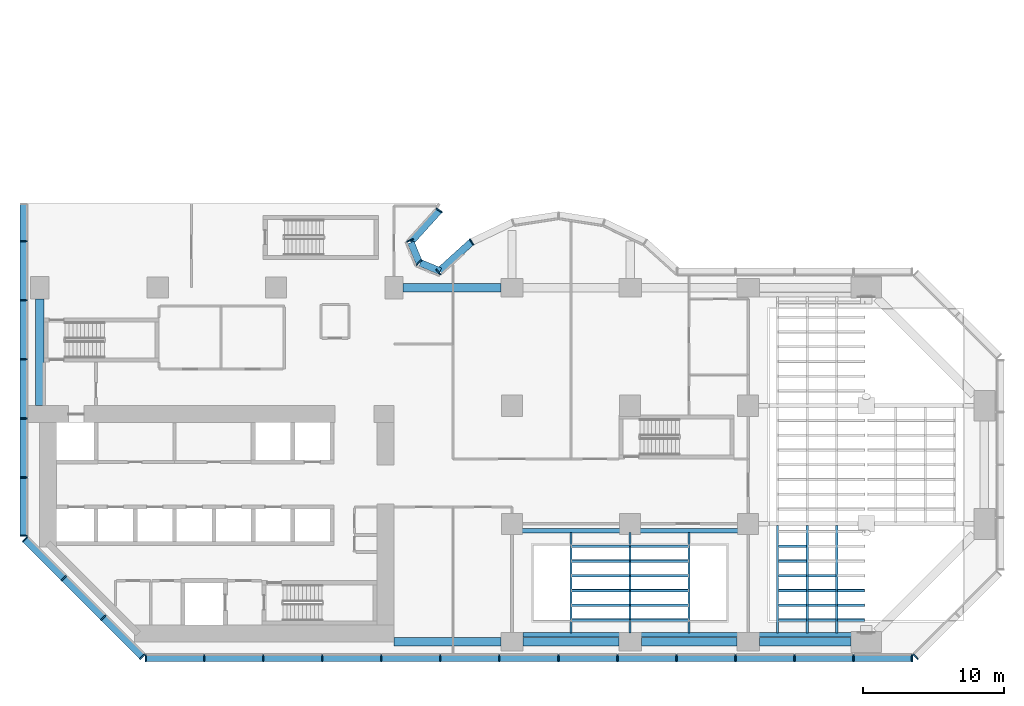
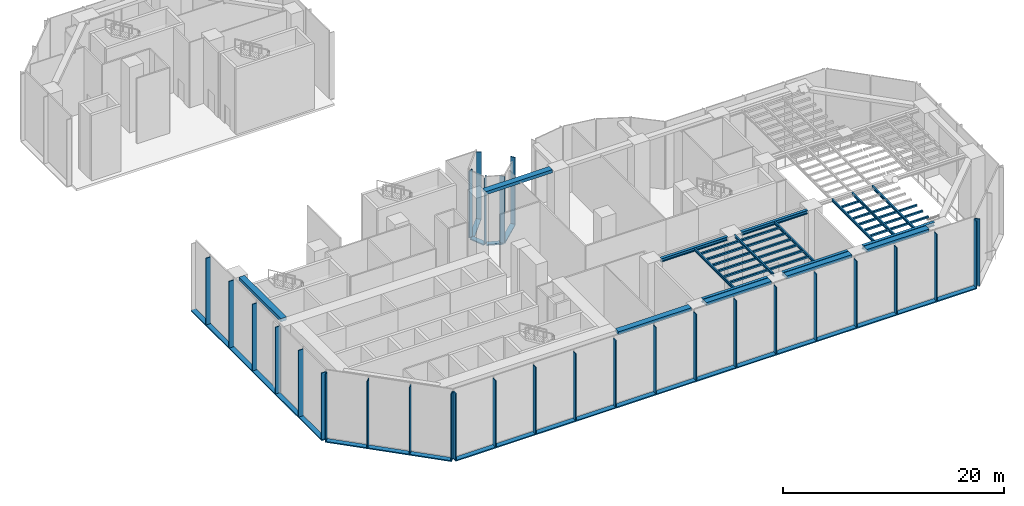
# One storey, part 2 of 22: 42 beams, 37 members, 7 elements without a shape of their own.
"""IFC4 building model written with IfcOpenShell, lengths in metres."""

from ifc_helpers import new_model, si_unit, direction, frame, origin, origin_2d, place, context, subcontext, project, spatial, rectangle, hollow_rectangle, i_section, extrude, material, material_profile, profile_set, type_object, element, aggregate, save


model = new_model("IFC4")

# Units and contexts
model_context = context("Model", 3, precision=1e-05, world=origin(), true_north=direction((0.0, 1.0)))
body_context = subcontext(model_context, "Body", "Model", "MODEL_VIEW")
ifc_project = project(units=[si_unit("LENGTHUNIT", "METRE"), si_unit("AREAUNIT", "SQUARE_METRE"), si_unit("VOLUMEUNIT", "CUBIC_METRE"), si_unit("PLANEANGLEUNIT", "RADIAN"), si_unit("MASSUNIT", "GRAM", prefix="KILO")], contexts=[model_context])

# Site, building, storey
site_placement = place(None, origin())
site = spatial("IfcSite", under=ifc_project, at=site_placement, CompositionType="ELEMENT")
building_placement = place(site_placement, origin())
building = spatial("IfcBuilding", under=site, at=building_placement, Name="Brevane Broadcast Tower", CompositionType="ELEMENT")
storey_placement = place(building_placement, frame((0.0, 0.0, 20.0)))
storey = spatial("IfcBuildingStorey", under=building, at=storey_placement, Name="L03", CompositionType="ELEMENT", Elevation=20.0)

# Curtain wall, members
ifc_material_1 = material(Name="Aluminium 6063-T6 bronze anodised", Category="aluminium")
curtain_wall_type = type_object("IfcCurtainWallType", Name="CW-2 curtain wall", PredefinedType="NOTDEFINED", material=ifc_material_1)
curtain_wall_1_placement = place(storey_placement, origin())
curtain_wall_1 = element("IfcCurtainWall", 1, at=curtain_wall_1_placement, inside=storey, type_object=curtain_wall_type, Name="CW-2 podium base unit L03 south face", PredefinedType="NOTDEFINED")
ifc_material_profile_1 = material_profile(ifc_material_1, rectangle(XDim=0.5, YDim=0.090087890625, at=origin_2d()), Name="RECT 90x500")
ifc_profile_set_1 = profile_set([ifc_material_profile_1], Name="Aluminium 6063-T6 bronze anodised")
member_type_1 = type_object("IfcMemberType", Name="CW-2 mullion 90x500", PredefinedType="MULLION", material=ifc_profile_set_1)
member_1_placement = place(storey_placement, frame((7.544921875, -1.14990234375, -0.1298828125), z_axis=(0.0, 0.0, 1.0), x_axis=(0.0, 1.0, 0.0)))
member_1 = element("IfcMember", 2, at=member_1_placement, type_object=member_type_1, Name="CW-2 mullion", PredefinedType="MULLION", context=body_context, shape_type="SweptSolid", body=[
    extrude(rectangle(XDim=0.5, YDim=0.090087890625, at=origin_2d()), origin(), (0.0, 0.0, 1.0), 7.3798828125),
])
member_2_placement = place(storey_placement, frame((11.699951171875, -1.14990234375, -0.1298828125), z_axis=(0.0, 0.0, 1.0), x_axis=(0.0, 1.0, 0.0)))
member_2 = element("IfcMember", 3, at=member_2_placement, type_object=member_type_1, Name="CW-2 mullion", PredefinedType="MULLION", context=body_context, shape_type="SweptSolid", body=[
    extrude(rectangle(XDim=0.5, YDim=0.090087890625, at=origin_2d()), origin(), (0.0, 0.0, 1.0), 7.3798828125),
])
member_3_placement = place(storey_placement, frame((15.89990234375, -1.14990234375, -0.1298828125), z_axis=(0.0, 0.0, 1.0), x_axis=(0.0, 1.0, 0.0)))
member_3 = element("IfcMember", 4, at=member_3_placement, type_object=member_type_1, Name="CW-2 mullion", PredefinedType="MULLION", context=body_context, shape_type="SweptSolid", body=[
    extrude(rectangle(XDim=0.5, YDim=0.090087890625, at=origin_2d()), origin(), (0.0, 0.0, 1.0), 7.3798828125),
])
member_4_placement = place(storey_placement, frame((20.10009765625, -1.14990234375, -0.1298828125), z_axis=(0.0, 0.0, 1.0), x_axis=(0.0, 1.0, 0.0)))
member_4 = element("IfcMember", 5, at=member_4_placement, type_object=member_type_1, Name="CW-2 mullion", PredefinedType="MULLION", context=body_context, shape_type="SweptSolid", body=[
    extrude(rectangle(XDim=0.5, YDim=0.090087890625, at=origin_2d()), origin(), (0.0, 0.0, 1.0), 7.3798828125),
])
member_5_placement = place(storey_placement, frame((24.300048828125, -1.14990234375, -0.1298828125), z_axis=(0.0, 0.0, 1.0), x_axis=(0.0, 1.0, 0.0)))
member_5 = element("IfcMember", 6, at=member_5_placement, type_object=member_type_1, Name="CW-2 mullion", PredefinedType="MULLION", context=body_context, shape_type="SweptSolid", body=[
    extrude(rectangle(XDim=0.5, YDim=0.090087890625, at=origin_2d()), origin(), (0.0, 0.0, 1.0), 7.3798828125),
])
member_6_placement = place(storey_placement, frame((28.5, -1.14990234375, -0.1298828125), z_axis=(0.0, 0.0, 1.0), x_axis=(0.0, 1.0, 0.0)))
member_6 = element("IfcMember", 7, at=member_6_placement, type_object=member_type_1, Name="CW-2 mullion", PredefinedType="MULLION", context=body_context, shape_type="SweptSolid", body=[
    extrude(rectangle(XDim=0.5, YDim=0.090087890625, at=origin_2d()), origin(), (0.0, 0.0, 1.0), 7.3798828125),
])
member_7_placement = place(storey_placement, frame((32.699951171875, -1.14990234375, -0.1298828125), z_axis=(0.0, 0.0, 1.0), x_axis=(0.0, 1.0, 0.0)))
member_7 = element("IfcMember", 8, at=member_7_placement, type_object=member_type_1, Name="CW-2 mullion", PredefinedType="MULLION", context=body_context, shape_type="SweptSolid", body=[
    extrude(rectangle(XDim=0.5, YDim=0.090087890625, at=origin_2d()), origin(), (0.0, 0.0, 1.0), 7.3798828125),
])
member_8_placement = place(storey_placement, frame((36.89990234375, -1.14990234375, -0.1298828125), z_axis=(0.0, 0.0, 1.0), x_axis=(0.0, 1.0, 0.0)))
member_8 = element("IfcMember", 9, at=member_8_placement, type_object=member_type_1, Name="CW-2 mullion", PredefinedType="MULLION", context=body_context, shape_type="SweptSolid", body=[
    extrude(rectangle(XDim=0.5, YDim=0.090087890625, at=origin_2d()), origin(), (0.0, 0.0, 1.0), 7.3798828125),
])
member_9_placement = place(storey_placement, frame((41.10009765625, -1.14990234375, -0.1298828125), z_axis=(0.0, 0.0, 1.0), x_axis=(0.0, 1.0, 0.0)))
member_9 = element("IfcMember", 10, at=member_9_placement, type_object=member_type_1, Name="CW-2 mullion", PredefinedType="MULLION", context=body_context, shape_type="SweptSolid", body=[
    extrude(rectangle(XDim=0.5, YDim=0.090087890625, at=origin_2d()), origin(), (0.0, 0.0, 1.0), 7.3798828125),
])
member_10_placement = place(storey_placement, frame((45.300048828125, -1.14990234375, -0.1298828125), z_axis=(0.0, 0.0, 1.0), x_axis=(0.0, 1.0, 0.0)))
member_10 = element("IfcMember", 11, at=member_10_placement, type_object=member_type_1, Name="CW-2 mullion", PredefinedType="MULLION", context=body_context, shape_type="SweptSolid", body=[
    extrude(rectangle(XDim=0.5, YDim=0.090087890625, at=origin_2d()), origin(), (0.0, 0.0, 1.0), 7.3798828125),
])
member_11_placement = place(storey_placement, frame((49.5, -1.14990234375, -0.1298828125), z_axis=(0.0, 0.0, 1.0), x_axis=(0.0, 1.0, 0.0)))
member_11 = element("IfcMember", 12, at=member_11_placement, type_object=member_type_1, Name="CW-2 mullion", PredefinedType="MULLION", context=body_context, shape_type="SweptSolid", body=[
    extrude(rectangle(XDim=0.5, YDim=0.090087890625, at=origin_2d()), origin(), (0.0, 0.0, 1.0), 7.3798828125),
])
member_12_placement = place(storey_placement, frame((53.699951171875, -1.14990234375, -0.1298828125), z_axis=(0.0, 0.0, 1.0), x_axis=(0.0, 1.0, 0.0)))
member_12 = element("IfcMember", 13, at=member_12_placement, type_object=member_type_1, Name="CW-2 mullion", PredefinedType="MULLION", context=body_context, shape_type="SweptSolid", body=[
    extrude(rectangle(XDim=0.5, YDim=0.090087890625, at=origin_2d()), origin(), (0.0, 0.0, 1.0), 7.3798828125),
])
member_13_placement = place(storey_placement, frame((57.89990234375, -1.14990234375, -0.1298828125), z_axis=(0.0, 0.0, 1.0), x_axis=(0.0, 1.0, 0.0)))
member_13 = element("IfcMember", 14, at=member_13_placement, type_object=member_type_1, Name="CW-2 mullion", PredefinedType="MULLION", context=body_context, shape_type="SweptSolid", body=[
    extrude(rectangle(XDim=0.5, YDim=0.090087890625, at=origin_2d()), origin(), (0.0, 0.0, 1.0), 7.3798828125),
])
member_14_placement = place(storey_placement, frame((62.054931640625, -1.14990234375, -0.1298828125), z_axis=(0.0, 0.0, 1.0), x_axis=(0.0, 1.0, 0.0)))
member_14 = element("IfcMember", 15, at=member_14_placement, type_object=member_type_1, Name="CW-2 mullion", PredefinedType="MULLION", context=body_context, shape_type="SweptSolid", body=[
    extrude(rectangle(XDim=0.5, YDim=0.090087890625, at=origin_2d()), origin(), (0.0, 0.0, 1.0), 7.3798828125),
])

# Curtain wall, member
curtain_wall_2_placement = place(storey_placement, origin())
curtain_wall_2 = element("IfcCurtainWall", 16, at=curtain_wall_2_placement, inside=storey, type_object=curtain_wall_type, Name="CW-2 podium base unit L03 south-east chamfer", PredefinedType="NOTDEFINED")
member_15_placement = place(storey_placement, frame((62.30859375, -1.044921875, -0.1298828125), z_axis=(0.0, 0.0, 1.0), x_axis=(-0.707106781187, 0.707106781187, 0.0)))
member_15 = element("IfcMember", 17, at=member_15_placement, type_object=member_type_1, Name="CW-2 mullion", PredefinedType="MULLION", context=body_context, shape_type="SweptSolid", body=[
    extrude(rectangle(XDim=0.5, YDim=0.090087890625, at=origin_2d()), origin(), (0.0, 0.0, 1.0), 7.3798828125),
])
aggregate(curtain_wall_2, [member_15])

# Curtain wall, members
curtain_wall_3_placement = place(storey_placement, origin())
curtain_wall_3 = element("IfcCurtainWall", 18, at=curtain_wall_3_placement, inside=storey, type_object=curtain_wall_type, Name="CW-2 podium base unit L03 east bow", PredefinedType="NOTDEFINED")
member_16_placement = place(storey_placement, frame((30.728759765625, 28.447021484375, -0.1298828125), z_axis=(0.0, 0.0, 1.0), x_axis=(0.555997481379, -0.831183975243, 0.0)))
member_16 = element("IfcMember", 19, at=member_16_placement, type_object=member_type_1, Name="CW-2 mullion", PredefinedType="MULLION", context=body_context, shape_type="SweptSolid", body=[
    extrude(rectangle(XDim=0.5, YDim=0.090087890625, at=origin_2d()), origin(), (0.0, 0.0, 1.0), 7.3798828125),
])
member_17_placement = place(storey_placement, frame((28.36572265625, 26.315673828125, -0.1298828125), z_axis=(0.0, 0.0, 1.0), x_axis=(0.670368934758, -0.742027958578, 0.0)))
member_17 = element("IfcMember", 20, at=member_17_placement, type_object=member_type_1, Name="CW-2 mullion", PredefinedType="MULLION", context=body_context, shape_type="SweptSolid", body=[
    extrude(rectangle(XDim=0.5, YDim=0.090087890625, at=origin_2d()), origin(), (0.0, 0.0, 1.0), 7.3798828125),
])

curtain_wall_4_placement = place(storey_placement, origin())
curtain_wall_4 = element("IfcCurtainWall", 21, at=curtain_wall_4_placement, inside=storey, type_object=curtain_wall_type, Name="CW-2 podium base unit L03 inner corner", PredefinedType="NOTDEFINED")
member_18_placement = place(storey_placement, frame((26.979736328125, 26.979736328125, -0.1298828125), z_axis=(0.0, 0.0, 1.0), x_axis=(-0.707106781187, -0.707106781187, 0.0)))
member_18 = element("IfcMember", 22, at=member_18_placement, type_object=member_type_1, Name="CW-2 mullion", PredefinedType="MULLION", context=body_context, shape_type="SweptSolid", body=[
    extrude(rectangle(XDim=0.5, YDim=0.090087890625, at=origin_2d()), origin(), (0.0, 0.0, 1.0), 7.3798828125),
])
member_19_placement = place(storey_placement, frame((26.34814453125, 28.55419921875, -0.1298828125), z_axis=(0.0, 0.0, 1.0), x_axis=(-0.923879457699, -0.382683612978, 0.0)))
member_19 = element("IfcMember", 23, at=member_19_placement, type_object=member_type_1, Name="CW-2 mullion", PredefinedType="MULLION", context=body_context, shape_type="SweptSolid", body=[
    extrude(rectangle(XDim=0.5, YDim=0.090087890625, at=origin_2d()), origin(), (0.0, 0.0, 1.0), 7.3798828125),
])

# Curtain wall, member
curtain_wall_5_placement = place(storey_placement, origin())
curtain_wall_5 = element("IfcCurtainWall", 24, at=curtain_wall_5_placement, inside=storey, type_object=curtain_wall_type, Name="CW-2 podium base unit L03 north bow", PredefinedType="NOTDEFINED")
member_20_placement = place(storey_placement, frame((28.421875, 30.69140625, -0.1298828125), z_axis=(0.0, 0.0, 1.0), x_axis=(-0.831183975243, 0.555997481379, 0.0)))
member_20 = element("IfcMember", 25, at=member_20_placement, type_object=member_type_1, Name="CW-2 mullion", PredefinedType="MULLION", context=body_context, shape_type="SweptSolid", body=[
    extrude(rectangle(XDim=0.5, YDim=0.090087890625, at=origin_2d()), origin(), (0.0, 0.0, 1.0), 7.3798828125),
])

# Curtain wall, members
curtain_wall_6_placement = place(storey_placement, origin())
curtain_wall_6 = element("IfcCurtainWall", 26, at=curtain_wall_6_placement, inside=storey, type_object=curtain_wall_type, Name="CW-2 podium base unit L03 west face", PredefinedType="NOTDEFINED")
member_21_placement = place(storey_placement, frame((-1.14990234375, 28.5, -0.1298828125), z_axis=(0.0, 0.0, 1.0), x_axis=(1.0, 0.0, 0.0)))
member_21 = element("IfcMember", 27, at=member_21_placement, type_object=member_type_1, Name="CW-2 mullion", PredefinedType="MULLION", context=body_context, shape_type="SweptSolid", body=[
    extrude(rectangle(XDim=0.5, YDim=0.090087890625, at=origin_2d()), origin(), (0.0, 0.0, 1.0), 7.3798828125),
])
member_22_placement = place(storey_placement, frame((-1.14990234375, 24.300048828125, -0.1298828125), z_axis=(0.0, 0.0, 1.0), x_axis=(1.0, 0.0, 0.0)))
member_22 = element("IfcMember", 28, at=member_22_placement, type_object=member_type_1, Name="CW-2 mullion", PredefinedType="MULLION", context=body_context, shape_type="SweptSolid", body=[
    extrude(rectangle(XDim=0.5, YDim=0.090087890625, at=origin_2d()), origin(), (0.0, 0.0, 1.0), 7.3798828125),
])
member_23_placement = place(storey_placement, frame((-1.14990234375, 20.10009765625, -0.1298828125), z_axis=(0.0, 0.0, 1.0), x_axis=(1.0, 0.0, 0.0)))
member_23 = element("IfcMember", 29, at=member_23_placement, type_object=member_type_1, Name="CW-2 mullion", PredefinedType="MULLION", context=body_context, shape_type="SweptSolid", body=[
    extrude(rectangle(XDim=0.5, YDim=0.090087890625, at=origin_2d()), origin(), (0.0, 0.0, 1.0), 7.3798828125),
])
member_24_placement = place(storey_placement, frame((-1.14990234375, 15.89990234375, -0.1298828125), z_axis=(0.0, 0.0, 1.0), x_axis=(1.0, 0.0, 0.0)))
member_24 = element("IfcMember", 30, at=member_24_placement, type_object=member_type_1, Name="CW-2 mullion", PredefinedType="MULLION", context=body_context, shape_type="SweptSolid", body=[
    extrude(rectangle(XDim=0.5, YDim=0.090087890625, at=origin_2d()), origin(), (0.0, 0.0, 1.0), 7.3798828125),
])
member_25_placement = place(storey_placement, frame((-1.14990234375, 11.699951171875, -0.1298828125), z_axis=(0.0, 0.0, 1.0), x_axis=(1.0, 0.0, 0.0)))
member_25 = element("IfcMember", 31, at=member_25_placement, type_object=member_type_1, Name="CW-2 mullion", PredefinedType="MULLION", context=body_context, shape_type="SweptSolid", body=[
    extrude(rectangle(XDim=0.5, YDim=0.090087890625, at=origin_2d()), origin(), (0.0, 0.0, 1.0), 7.3798828125),
])
member_26_placement = place(storey_placement, frame((-1.14990234375, 7.544921875, -0.1298828125), z_axis=(0.0, 0.0, 1.0), x_axis=(1.0, 0.0, 0.0)))
member_26 = element("IfcMember", 32, at=member_26_placement, type_object=member_type_1, Name="CW-2 mullion", PredefinedType="MULLION", context=body_context, shape_type="SweptSolid", body=[
    extrude(rectangle(XDim=0.5, YDim=0.090087890625, at=origin_2d()), origin(), (0.0, 0.0, 1.0), 7.3798828125),
])

curtain_wall_7_placement = place(storey_placement, origin())
curtain_wall_7 = element("IfcCurtainWall", 33, at=curtain_wall_7_placement, inside=storey, type_object=curtain_wall_type, Name="CW-2 podium base unit L03 south-west chamfer", PredefinedType="NOTDEFINED")
member_27_placement = place(storey_placement, frame((-1.044921875, 7.29150390625, -0.1298828125), z_axis=(0.0, 0.0, 1.0), x_axis=(0.707106781187, 0.707106781187, 0.0)))
member_27 = element("IfcMember", 34, at=member_27_placement, type_object=member_type_1, Name="CW-2 mullion", PredefinedType="MULLION", context=body_context, shape_type="SweptSolid", body=[
    extrude(rectangle(XDim=0.5, YDim=0.090087890625, at=origin_2d()), origin(), (0.0, 0.0, 1.0), 7.3798828125),
])
member_28_placement = place(storey_placement, frame((1.72314453125, 4.523193359375, -0.1298828125), z_axis=(0.0, 0.0, 1.0), x_axis=(0.707106781187, 0.707106781187, 0.0)))
member_28 = element("IfcMember", 35, at=member_28_placement, type_object=member_type_1, Name="CW-2 mullion", PredefinedType="MULLION", context=body_context, shape_type="SweptSolid", body=[
    extrude(rectangle(XDim=0.5, YDim=0.090087890625, at=origin_2d()), origin(), (0.0, 0.0, 1.0), 7.3798828125),
])
member_29_placement = place(storey_placement, frame((4.523193359375, 1.72314453125, -0.1298828125), z_axis=(0.0, 0.0, 1.0), x_axis=(0.707106781187, 0.707106781187, 0.0)))
member_29 = element("IfcMember", 36, at=member_29_placement, type_object=member_type_1, Name="CW-2 mullion", PredefinedType="MULLION", context=body_context, shape_type="SweptSolid", body=[
    extrude(rectangle(XDim=0.5, YDim=0.090087890625, at=origin_2d()), origin(), (0.0, 0.0, 1.0), 7.3798828125),
])
member_30_placement = place(storey_placement, frame((7.29150390625, -1.044921875, -0.1298828125), z_axis=(0.0, 0.0, 1.0), x_axis=(0.707106781187, 0.707106781187, 0.0)))
member_30 = element("IfcMember", 37, at=member_30_placement, type_object=member_type_1, Name="CW-2 mullion", PredefinedType="MULLION", context=body_context, shape_type="SweptSolid", body=[
    extrude(rectangle(XDim=0.5, YDim=0.090087890625, at=origin_2d()), origin(), (0.0, 0.0, 1.0), 7.3798828125),
])

# Member
ifc_material_profile_2 = material_profile(ifc_material_1, rectangle(XDim=0.5, YDim=0.1201171875, at=origin_2d()), Name="RECT 120x500")
ifc_profile_set_2 = profile_set([ifc_material_profile_2], Name="Aluminium 6063-T6 bronze anodised")
member_type_2 = type_object("IfcMemberType", Name="CW-2 transom 120x500", PredefinedType="USERDEFINED", material=ifc_profile_set_2)
member_31_placement = place(storey_placement, frame((7.5, -1.14990234375, -0.18994140625), z_axis=(1.0, 0.0, 0.0), x_axis=(0.0, 1.0, 0.0)))
member_31 = element("IfcMember", 38, at=member_31_placement, type_object=member_type_2, Name="CW-2 transom", ObjectType="TRANSOM", PredefinedType="USERDEFINED", context=body_context, shape_type="SweptSolid", body=[
    extrude(rectangle(XDim=0.5, YDim=0.1201171875, at=origin_2d()), origin(), (0.0, 0.0, 1.0), 54.60009765625),
])

aggregate(curtain_wall_1, [member_1, member_2, member_3, member_4, member_5, member_6, member_7, member_8, member_9, member_10, member_11, member_12, member_13, member_14, member_31])

member_32_placement = place(storey_placement, frame((30.70703125, 28.4306640625, -0.18994140625), z_axis=(-0.742043383245, -0.670351860878, 0.0), x_axis=(0.670351860878, -0.742043383245, 0.0)))
member_32 = element("IfcMember", 39, at=member_32_placement, type_object=member_type_2, Name="CW-2 transom", ObjectType="TRANSOM", PredefinedType="USERDEFINED", context=body_context, shape_type="SweptSolid", body=[
    extrude(rectangle(XDim=0.5, YDim=0.1201171875, at=origin_2d()), origin(), (0.0, 0.0, 1.0), 3.041015625),
])

aggregate(curtain_wall_3, [member_16, member_17, member_32])

member_33_placement = place(storey_placement, frame((28.500244140625, 26.365234375, -0.18994140625), z_axis=(-0.923883243627, 0.382674472816, 0.0), x_axis=(-0.382674472816, -0.923883243627, 0.0)))
member_33 = element("IfcMember", 40, at=member_33_placement, type_object=member_type_2, Name="CW-2 transom", ObjectType="TRANSOM", PredefinedType="USERDEFINED", context=body_context, shape_type="SweptSolid", body=[
    extrude(rectangle(XDim=0.5, YDim=0.1201171875, at=origin_2d()), origin(), (0.0, 0.0, 1.0), 1.536865234375),
])

member_34_placement = place(storey_placement, frame((26.99072265625, 26.990234375, -0.18994140625), z_axis=(-0.382674472816, 0.923883243627, 0.0), x_axis=(-0.923883243627, -0.382674472816, 0.0)))
member_34 = element("IfcMember", 41, at=member_34_placement, type_object=member_type_2, Name="CW-2 transom", ObjectType="TRANSOM", PredefinedType="USERDEFINED", context=body_context, shape_type="SweptSolid", body=[
    extrude(rectangle(XDim=0.5, YDim=0.1201171875, at=origin_2d()), origin(), (0.0, 0.0, 1.0), 1.536865234375),
])

aggregate(curtain_wall_4, [member_18, member_19, member_33, member_34])

member_35_placement = place(storey_placement, frame((26.39208984375, 28.450439453125, -0.18994140625), z_axis=(0.670351860878, 0.742043383245, 0.0), x_axis=(-0.742043383245, 0.670351860878, 0.0)))
member_35 = element("IfcMember", 42, at=member_35_placement, type_object=member_type_2, Name="CW-2 transom", ObjectType="TRANSOM", PredefinedType="USERDEFINED", context=body_context, shape_type="SweptSolid", body=[
    extrude(rectangle(XDim=0.5, YDim=0.1201171875, at=origin_2d()), origin(), (0.0, 0.0, 1.0), 3.041015625),
])

aggregate(curtain_wall_5, [member_20, member_35])

member_36_placement = place(storey_placement, frame((-1.14990234375, 31.199951171875, -0.18994140625), z_axis=(0.0, -1.0, 0.0), x_axis=(1.0, 0.0, 0.0)))
member_36 = element("IfcMember", 43, at=member_36_placement, type_object=member_type_2, Name="CW-2 transom", ObjectType="TRANSOM", PredefinedType="USERDEFINED", context=body_context, shape_type="SweptSolid", body=[
    extrude(rectangle(XDim=0.5, YDim=0.1201171875, at=origin_2d()), origin(), (0.0, 0.0, 1.0), 23.699951171875),
])

aggregate(curtain_wall_6, [member_21, member_22, member_23, member_24, member_25, member_26, member_36])

member_37_placement = place(storey_placement, frame((-1.07666015625, 7.3232421875, -0.18994140625), z_axis=(0.707106781187, -0.707106781187, 0.0), x_axis=(0.707106781187, 0.707106781187, 0.0)))
member_37 = element("IfcMember", 44, at=member_37_placement, type_object=member_type_2, Name="CW-2 transom", ObjectType="TRANSOM", PredefinedType="USERDEFINED", context=body_context, shape_type="SweptSolid", body=[
    extrude(rectangle(XDim=0.5, YDim=0.1201171875, at=origin_2d()), origin(), (0.0, 0.0, 1.0), 11.879150390625),
])

aggregate(curtain_wall_7, [member_27, member_28, member_29, member_30, member_37])

# Beams
ifc_material_2 = material(Name="Concrete C40/50", Category="concrete")
ifc_material_profile_3 = material_profile(ifc_material_2, rectangle(XDim=0.60009765625, YDim=0.35009765625, at=origin_2d()), Name="RC 600x350")
ifc_profile_set_3 = profile_set([ifc_material_profile_3], Name="Concrete C40/50")
beam_type_1 = type_object("IfcBeamType", Name="RC SPANDREL BEAM 600x350 C40/50", PredefinedType="SPANDREL", material=ifc_profile_set_3)
beam_1_placement = place(storey_placement, frame((25.199951171875, 0.0, 7.074951171875), z_axis=(1.0, 0.0, 0.0), x_axis=(0.0, 1.0, 0.0)))
element("IfcBeam", 45, at=beam_1_placement, inside=storey, type_object=beam_type_1, Name="EB1 L03-1", PredefinedType="SPANDREL", context=body_context, shape_type="SweptSolid", body=[
    extrude(rectangle(XDim=0.60009765625, YDim=0.35009765625, at=origin_2d()), origin(), (0.0, 0.0, 1.0), 7.60009765625),
])
for number, where, z_axis, x_axis, name in (
    (46, (34.39990234375, 0.0, 7.074951171875), (1.0, 0.0, 0.0), (0.0, 1.0, 0.0), "EB1 L03-2"),
    (47, (42.800048828125, 0.0, 7.074951171875), (1.0, 0.0, 0.0), (0.0, 1.0, 0.0), "EB1 L03-3"),
):
    element("IfcBeam", number, at=place(storey_placement, frame(where, z_axis=z_axis, x_axis=x_axis)), inside=storey, type_object=beam_type_1, Name=name, PredefinedType="SPANDREL", context=body_context, shape_type="SweptSolid", body=[
        extrude(rectangle(XDim=0.60009765625, YDim=0.35009765625, at=origin_2d()), origin(), (0.0, 0.0, 1.0), 6.800048828125),
    ])
beam_2_placement = place(storey_placement, frame((51.199951171875, 0.0, 7.074951171875), z_axis=(1.0, 0.0, 0.0), x_axis=(0.0, 1.0, 0.0)))
element("IfcBeam", 48, at=beam_2_placement, inside=storey, type_object=beam_type_1, Name="EB1 L03-4", PredefinedType="SPANDREL", context=body_context, shape_type="SweptSolid", body=[
    extrude(rectangle(XDim=0.60009765625, YDim=0.35009765625, at=origin_2d()), origin(), (0.0, 0.0, 1.0), 6.5),
])
beam_3_placement = place(storey_placement, frame((32.800048828125, 25.199951171875, 7.074951171875), z_axis=(-1.0, 0.0, 0.0), x_axis=(0.0, -1.0, 0.0)))
element("IfcBeam", 49, at=beam_3_placement, inside=storey, type_object=beam_type_1, Name="EB1 L03-11", PredefinedType="SPANDREL", context=body_context, shape_type="SweptSolid", body=[
    extrude(rectangle(XDim=0.60009765625, YDim=0.35009765625, at=origin_2d()), origin(), (0.0, 0.0, 1.0), 6.949951171875),
])
beam_4_placement = place(storey_placement, frame((0.0, 24.39990234375, 7.074951171875), z_axis=(0.0, -1.0, 0.0), x_axis=(1.0, 0.0, 0.0)))
element("IfcBeam", 50, at=beam_4_placement, inside=storey, type_object=beam_type_1, Name="EB1 L03-15", PredefinedType="SPANDREL", context=body_context, shape_type="SweptSolid", body=[
    extrude(rectangle(XDim=0.60009765625, YDim=0.35009765625, at=origin_2d()), origin(), (0.0, 0.0, 1.0), 7.599853515625),
])
ifc_material_3 = material(Name="Steel S355", Category="steel")
ifc_material_profile_4 = material_profile(ifc_material_3, hollow_rectangle(XDim=0.199951171875, YDim=0.199951171875, WallThickness=0.010009765625, InnerFilletRadius=0.010009765625, OuterFilletRadius=0.02001953125, at=origin_2d()), Name="RHS 200x200x10")
ifc_profile_set_4 = profile_set([ifc_material_profile_4], Name="Steel S355")
beam_type_2 = type_object("IfcBeamType", Name="STEEL RIGGING BATTEN RHS 200x200x10 S355", PredefinedType="BEAM", material=ifc_profile_set_4)
for number, where, z_axis, x_axis, name in (
    (51, (52.544921875, 1.550048828125, 7.14990234375), (1.0, 0.0, 0.0), (0.0, 1.0, 0.0), "RG3 W43"),
    (52, (54.64501953125, 1.550048828125, 7.14990234375), (1.0, 0.0, 0.0), (0.0, 1.0, 0.0), "RG3 W44"),
):
    element("IfcBeam", number, at=place(storey_placement, frame(where, z_axis=z_axis, x_axis=x_axis)), inside=storey, type_object=beam_type_2, Name=name, PredefinedType="BEAM", context=body_context, shape_type="SweptSolid", body=[
        extrude(hollow_rectangle(XDim=0.199951171875, YDim=0.199951171875, WallThickness=0.010009765625, InnerFilletRadius=0.010009765625, OuterFilletRadius=0.02001953125, at=origin_2d()), origin(), (0.0, 0.0, 1.0), 2.010009765625),
    ])
beam_5_placement = place(storey_placement, frame((56.7451171875, 1.550048828125, 7.14990234375), z_axis=(1.0, 0.0, 0.0), x_axis=(0.0, 1.0, 0.0)))
element("IfcBeam", 53, at=beam_5_placement, inside=storey, type_object=beam_type_2, Name="RG3 W45", PredefinedType="BEAM", context=body_context, shape_type="SweptSolid", body=[
    extrude(hollow_rectangle(XDim=0.199951171875, YDim=0.199951171875, WallThickness=0.010009765625, InnerFilletRadius=0.010009765625, OuterFilletRadius=0.02001953125, at=origin_2d()), origin(), (0.0, 0.0, 1.0), 1.933837890625),
])
for number, where, z_axis, x_axis, name in (
    (54, (52.544921875, 2.60009765625, 7.14990234375), (1.0, 0.0, 0.0), (0.0, 1.0, 0.0), "RG3 W46"),
    (55, (54.64501953125, 2.60009765625, 7.14990234375), (1.0, 0.0, 0.0), (0.0, 1.0, 0.0), "RG3 W47"),
):
    element("IfcBeam", number, at=place(storey_placement, frame(where, z_axis=z_axis, x_axis=x_axis)), inside=storey, type_object=beam_type_2, Name=name, PredefinedType="BEAM", context=body_context, shape_type="SweptSolid", body=[
        extrude(hollow_rectangle(XDim=0.199951171875, YDim=0.199951171875, WallThickness=0.010009765625, InnerFilletRadius=0.010009765625, OuterFilletRadius=0.02001953125, at=origin_2d()), origin(), (0.0, 0.0, 1.0), 2.010009765625),
    ])
beam_6_placement = place(storey_placement, frame((56.7451171875, 2.60009765625, 7.14990234375), z_axis=(1.0, 0.0, 0.0), x_axis=(0.0, 1.0, 0.0)))
element("IfcBeam", 56, at=beam_6_placement, inside=storey, type_object=beam_type_2, Name="RG3 W48", PredefinedType="BEAM", context=body_context, shape_type="SweptSolid", body=[
    extrude(hollow_rectangle(XDim=0.199951171875, YDim=0.199951171875, WallThickness=0.010009765625, InnerFilletRadius=0.010009765625, OuterFilletRadius=0.02001953125, at=origin_2d()), origin(), (0.0, 0.0, 1.0), 1.933837890625),
])
for number, where, z_axis, x_axis, name in (
    (57, (52.544921875, 3.64990234375, 7.14990234375), (1.0, 0.0, 0.0), (0.0, 1.0, 0.0), "RG3 W49"),
    (58, (54.64501953125, 3.64990234375, 7.14990234375), (1.0, 0.0, 0.0), (0.0, 1.0, 0.0), "RG3 W50"),
):
    element("IfcBeam", number, at=place(storey_placement, frame(where, z_axis=z_axis, x_axis=x_axis)), inside=storey, type_object=beam_type_2, Name=name, PredefinedType="BEAM", context=body_context, shape_type="SweptSolid", body=[
        extrude(hollow_rectangle(XDim=0.199951171875, YDim=0.199951171875, WallThickness=0.010009765625, InnerFilletRadius=0.010009765625, OuterFilletRadius=0.02001953125, at=origin_2d()), origin(), (0.0, 0.0, 1.0), 2.010009765625),
    ])
beam_7_placement = place(storey_placement, frame((56.7451171875, 3.64990234375, 7.14990234375), z_axis=(1.0, 0.0, 0.0), x_axis=(0.0, 1.0, 0.0)))
element("IfcBeam", 59, at=beam_7_placement, inside=storey, type_object=beam_type_2, Name="RG3 W51", PredefinedType="BEAM", context=body_context, shape_type="SweptSolid", body=[
    extrude(hollow_rectangle(XDim=0.199951171875, YDim=0.199951171875, WallThickness=0.010009765625, InnerFilletRadius=0.010009765625, OuterFilletRadius=0.02001953125, at=origin_2d()), origin(), (0.0, 0.0, 1.0), 1.933837890625),
])
for number, where, z_axis, x_axis, name in (
    (60, (52.544921875, 4.699951171875, 7.14990234375), (1.0, 0.0, 0.0), (0.0, 1.0, 0.0), "RG3 W52"),
    (61, (54.64501953125, 4.699951171875, 7.14990234375), (1.0, 0.0, 0.0), (0.0, 1.0, 0.0), "RG3 W53"),
    (62, (52.544921875, 5.75, 7.14990234375), (1.0, 0.0, 0.0), (0.0, 1.0, 0.0), "RG3 W55"),
    (63, (52.544921875, 6.800048828125, 7.14990234375), (1.0, 0.0, 0.0), (0.0, 1.0, 0.0), "RG3 W58"),
):
    element("IfcBeam", number, at=place(storey_placement, frame(where, z_axis=z_axis, x_axis=x_axis)), inside=storey, type_object=beam_type_2, Name=name, PredefinedType="BEAM", context=body_context, shape_type="SweptSolid", body=[
        extrude(hollow_rectangle(XDim=0.199951171875, YDim=0.199951171875, WallThickness=0.010009765625, InnerFilletRadius=0.010009765625, OuterFilletRadius=0.02001953125, at=origin_2d()), origin(), (0.0, 0.0, 1.0), 2.010009765625),
    ])
for number, where, z_axis, x_axis, name in (
    (64, (37.844970703125, 1.550048828125, 7.14990234375), (1.0, 0.0, 0.0), (0.0, 1.0, 0.0), "RG3 S2-1"),
    (65, (42.044921875, 1.550048828125, 7.14990234375), (1.0, 0.0, 0.0), (0.0, 1.0, 0.0), "RG3 S2-2"),
    (66, (37.844970703125, 2.60009765625, 7.14990234375), (1.0, 0.0, 0.0), (0.0, 1.0, 0.0), "RG3 S2-3"),
    (67, (42.044921875, 2.60009765625, 7.14990234375), (1.0, 0.0, 0.0), (0.0, 1.0, 0.0), "RG3 S2-4"),
    (68, (37.844970703125, 3.64990234375, 7.14990234375), (1.0, 0.0, 0.0), (0.0, 1.0, 0.0), "RG3 S2-5"),
    (69, (42.044921875, 3.64990234375, 7.14990234375), (1.0, 0.0, 0.0), (0.0, 1.0, 0.0), "RG3 S2-6"),
    (70, (37.844970703125, 4.699951171875, 7.14990234375), (1.0, 0.0, 0.0), (0.0, 1.0, 0.0), "RG3 S2-7"),
    (71, (42.044921875, 4.699951171875, 7.14990234375), (1.0, 0.0, 0.0), (0.0, 1.0, 0.0), "RG3 S2-8"),
    (72, (37.844970703125, 5.75, 7.14990234375), (1.0, 0.0, 0.0), (0.0, 1.0, 0.0), "RG3 S2-9"),
    (73, (42.044921875, 5.75, 7.14990234375), (1.0, 0.0, 0.0), (0.0, 1.0, 0.0), "RG3 S2-10"),
    (74, (37.844970703125, 6.800048828125, 7.14990234375), (1.0, 0.0, 0.0), (0.0, 1.0, 0.0), "RG3 S2-11"),
    (75, (42.044921875, 6.800048828125, 7.14990234375), (1.0, 0.0, 0.0), (0.0, 1.0, 0.0), "RG3 S2-12"),
):
    element("IfcBeam", number, at=place(storey_placement, frame(where, z_axis=z_axis, x_axis=x_axis)), inside=storey, type_object=beam_type_2, Name=name, PredefinedType="BEAM", context=body_context, shape_type="SweptSolid", body=[
        extrude(hollow_rectangle(XDim=0.199951171875, YDim=0.199951171875, WallThickness=0.010009765625, InnerFilletRadius=0.010009765625, OuterFilletRadius=0.02001953125, at=origin_2d()), origin(), (0.0, 0.0, 1.0), 4.110107421875),
    ])
ifc_material_profile_5 = material_profile(ifc_material_3, i_section(OverallWidth=0.14990234375, OverallDepth=0.300048828125, WebThickness=0.007080078125, FlangeThickness=0.0107421875, FilletRadius=0.014892578125, at=origin_2d()), Name="IPE 300")
ifc_profile_set_5 = profile_set([ifc_material_profile_5], Name="Steel S355")
beam_type_3 = type_object("IfcBeamType", Name="STEEL RIGGING CROSS GIRDER IPE 300 S355", PredefinedType="BEAM", material=ifc_profile_set_5)
for number, where, z_axis, x_axis, name in (
    (76, (52.5, 0.6201171875, 7.10009765625), (0.0, 1.0, 0.0), (-1.0, 0.0, 0.0), "RG2 W7"),
    (77, (54.60009765625, 0.6201171875, 7.10009765625), (0.0, 1.0, 0.0), (-1.0, 0.0, 0.0), "RG2 W8"),
    (78, (56.699951171875, 0.6201171875, 7.10009765625), (0.0, 1.0, 0.0), (-1.0, 0.0, 0.0), "RG2 W9"),
):
    element("IfcBeam", number, at=place(storey_placement, frame(where, z_axis=z_axis, x_axis=x_axis)), inside=storey, type_object=beam_type_3, Name=name, PredefinedType="BEAM", context=body_context, shape_type="SweptSolid", body=[
        extrude(i_section(OverallWidth=0.14990234375, OverallDepth=0.300048828125, WebThickness=0.007080078125, FlangeThickness=0.0107421875, FilletRadius=0.014892578125, at=origin_2d()), origin(), (0.0, 0.0, 1.0), 7.659912109375),
    ])
for number, where, z_axis, x_axis, name in (
    (79, (37.800048828125, 0.6201171875, 7.10009765625), (0.0, 1.0, 0.0), (-1.0, 0.0, 0.0), "RG2 S2-1"),
    (80, (42.0, 0.6201171875, 7.10009765625), (0.0, 1.0, 0.0), (-1.0, 0.0, 0.0), "RG2 S2-2"),
    (81, (46.199951171875, 0.6201171875, 7.10009765625), (0.0, 1.0, 0.0), (-1.0, 0.0, 0.0), "RG2 S2-3"),
):
    element("IfcBeam", number, at=place(storey_placement, frame(where, z_axis=z_axis, x_axis=x_axis)), inside=storey, type_object=beam_type_3, Name=name, PredefinedType="BEAM", context=body_context, shape_type="SweptSolid", body=[
        extrude(i_section(OverallWidth=0.14990234375, OverallDepth=0.300048828125, WebThickness=0.007080078125, FlangeThickness=0.0107421875, FilletRadius=0.014892578125, at=origin_2d()), origin(), (0.0, 0.0, 1.0), 7.159912109375),
    ])
ifc_material_profile_6 = material_profile(ifc_material_3, i_section(OverallWidth=0.300048828125, OverallDepth=0.39990234375, WebThickness=0.013427734375, FlangeThickness=0.02392578125, FilletRadius=0.027099609375, at=origin_2d()), Name="HE 400 B")
ifc_profile_set_6 = profile_set([ifc_material_profile_6], Name="Steel S355")
beam_type_4 = type_object("IfcBeamType", Name="STEEL RIGGING GIRDER HE 400 B S355", PredefinedType="BEAM", material=ifc_profile_set_6)
beam_8_placement = place(storey_placement, frame((51.169921875, 0.5, 7.050048828125), z_axis=(1.0, 0.0, 0.0), x_axis=(0.0, 1.0, 0.0)))
element("IfcBeam", 82, at=beam_8_placement, inside=storey, type_object=beam_type_4, Name="RG1 W5", PredefinedType="BEAM", context=body_context, shape_type="SweptSolid", body=[
    extrude(i_section(OverallWidth=0.300048828125, OverallDepth=0.39990234375, WebThickness=0.013427734375, FlangeThickness=0.02392578125, FilletRadius=0.027099609375, at=origin_2d()), origin(), (0.0, 0.0, 1.0), 7.509033203125),
])
for number, where, z_axis, x_axis, name in (
    (83, (34.3701171875, 0.5, 7.050048828125), (1.0, 0.0, 0.0), (0.0, 1.0, 0.0), "RG1 S2-1"),
    (84, (42.77001953125, 0.5, 7.050048828125), (1.0, 0.0, 0.0), (0.0, 1.0, 0.0), "RG1 S2-2"),
):
    element("IfcBeam", number, at=place(storey_placement, frame(where, z_axis=z_axis, x_axis=x_axis)), inside=storey, type_object=beam_type_4, Name=name, PredefinedType="BEAM", context=body_context, shape_type="SweptSolid", body=[
        extrude(i_section(OverallWidth=0.300048828125, OverallDepth=0.39990234375, WebThickness=0.013427734375, FlangeThickness=0.02392578125, FilletRadius=0.027099609375, at=origin_2d()), origin(), (0.0, 0.0, 1.0), 6.85986328125),
    ])
for number, where, z_axis, x_axis, name in (
    (85, (34.320068359375, 7.89990234375, 7.050048828125), (1.0, 0.0, 0.0), (0.0, 1.0, 0.0), "RG1 S2-3"),
    (86, (42.719970703125, 7.89990234375, 7.050048828125), (1.0, 0.0, 0.0), (0.0, 1.0, 0.0), "RG1 S2-4"),
):
    element("IfcBeam", number, at=place(storey_placement, frame(where, z_axis=z_axis, x_axis=x_axis)), inside=storey, type_object=beam_type_4, Name=name, PredefinedType="BEAM", context=body_context, shape_type="SweptSolid", body=[
        extrude(i_section(OverallWidth=0.300048828125, OverallDepth=0.39990234375, WebThickness=0.013427734375, FlangeThickness=0.02392578125, FilletRadius=0.027099609375, at=origin_2d()), origin(), (0.0, 0.0, 1.0), 6.9599609375),
    ])

save(model, "model.ifc")
